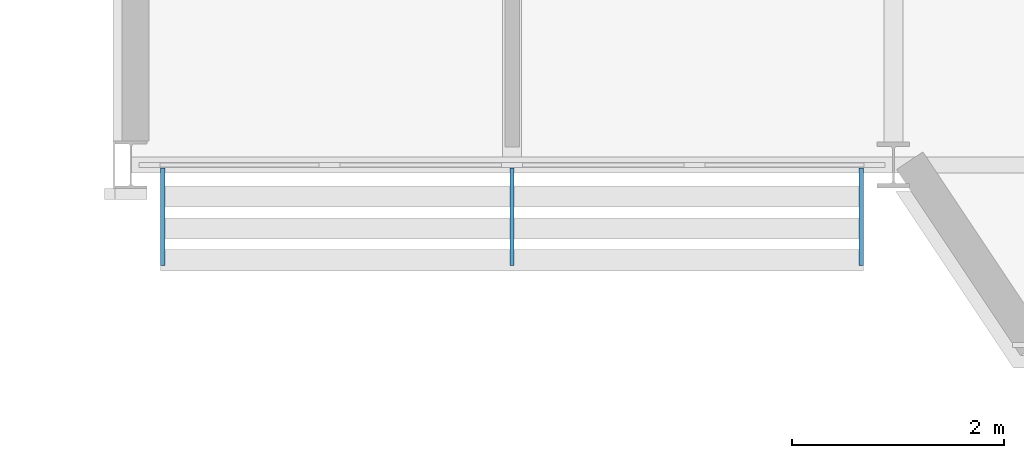
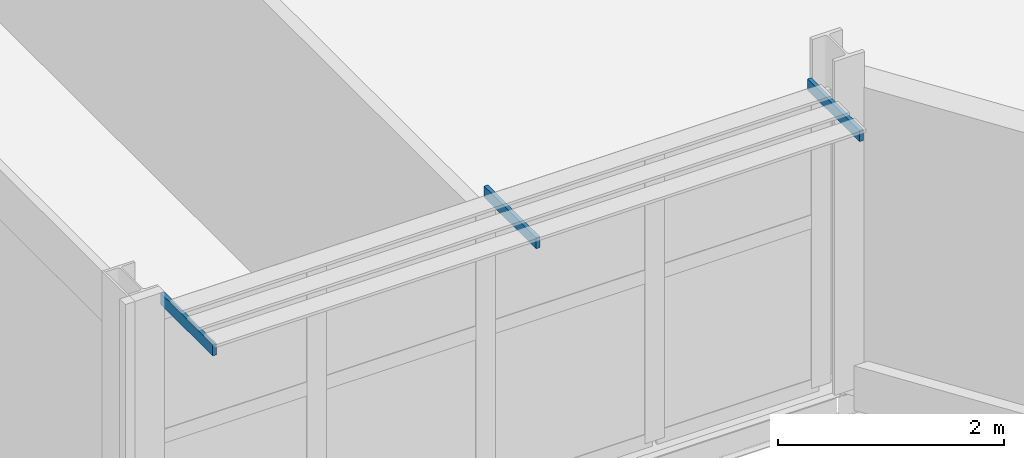
# One storey, part 85 of 120: 3 discrete accessories.
"""IFC4 building model written with IfcOpenShell, lengths in metres."""

from ifc_helpers import new_model, si_unit, direction, frame, origin, origin_2d, place, context, subcontext, project, spatial, rectangle, extrude, material, layer, layer_set, type_object, element, save


model = new_model("IFC4")

# Units and contexts
model_context = context("Model", 3, precision=1e-05, world=origin(), true_north=direction((0.0, 1.0)))
body_context = subcontext(model_context, "Body", "Model", "MODEL_VIEW")
ifc_project = project(units=[si_unit("LENGTHUNIT", "METRE"), si_unit("AREAUNIT", "SQUARE_METRE"), si_unit("VOLUMEUNIT", "CUBIC_METRE"), si_unit("PLANEANGLEUNIT", "RADIAN"), si_unit("MASSUNIT", "GRAM", prefix="KILO")], contexts=[model_context])

# Site, building, storey
site_placement = place(None, origin())
site = spatial("IfcSite", under=ifc_project, at=site_placement, CompositionType="ELEMENT")
building_placement = place(site_placement, origin())
building = spatial("IfcBuilding", under=site, at=building_placement, Name="Kupolbacken Congress Centre", CompositionType="ELEMENT")
storey_placement = place(building_placement, frame((0.0, 0.0, 21.60009765625)))
storey = spatial("IfcBuildingStorey", under=building, at=storey_placement, Name="L06", CompositionType="ELEMENT", Elevation=21.60009765625)

# Discrete accessories
ifc_material = material(Name="Steel S355", Category="steel")
ifc_layer = layer(ifc_material, 0.011962890625)
ifc_layer_set = layer_set([ifc_layer], Name="Steel S355")
discrete_accessory_type = type_object("IfcDiscreteAccessoryType", Name="BK1 bracket 150 x 150 x 12", PredefinedType="BRACKET", material=ifc_layer_set)
for number, where, z_axis, x_axis, name in (
    (1, (65.10009765625, 121.909912109375, 3.23974609375), (0.0, 0.0, 1.0), (1.0, 0.0, 0.0), "Brise-soleil arm"),
    (2, (68.398193359375, 121.909912109375, 3.23974609375), (0.0, 0.0, 1.0), (1.0, 0.0, 0.0), "Brise-soleil arm"),
    (3, (71.696533203125, 121.909912109375, 3.23974609375), (0.0, 0.0, 1.0), (1.0, 0.0, 0.0), "Brise-soleil arm"),
):
    element("IfcDiscreteAccessory", number, at=place(storey_placement, frame(where, z_axis=z_axis, x_axis=x_axis)), inside=storey, type_object=discrete_accessory_type, Name=name, PredefinedType="BRACKET", context=body_context, shape_type="SweptSolid", body=[
        extrude(rectangle(XDim=0.0400390625, YDim=0.919921875, at=origin_2d()), origin(), (0.0, 0.0, 1.0), 0.1201171875),
    ])

save(model, "model.ifc")
